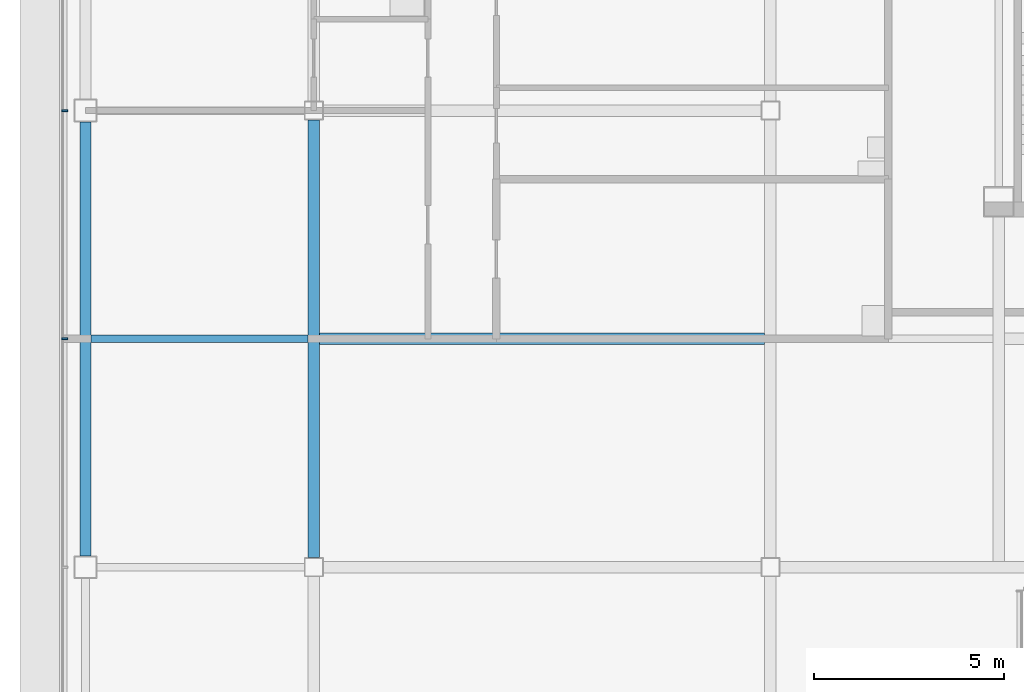
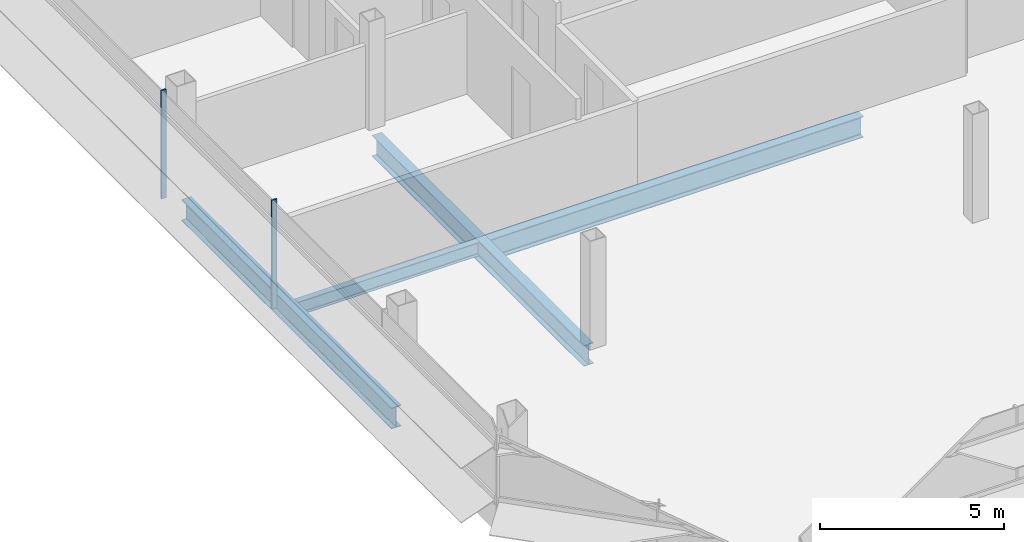
# One storey, part 5 of 27: 4 beams, 2 members, 1 element without a shape of its own.
"""IFC4 building model written with IfcOpenShell, lengths in metres."""

from ifc_helpers import new_model, si_unit, direction, frame, origin, origin_2d, place, context, subcontext, project, spatial, rectangle, i_section, extrude, material, material_profile, profile_set, type_object, element, aggregate, save


model = new_model("IFC4")

# Units and contexts
model_context = context("Model", 3, precision=1e-05, world=origin(), true_north=direction((0.0, 1.0)))
body_context = subcontext(model_context, "Body", "Model", "MODEL_VIEW")
ifc_project = project(units=[si_unit("LENGTHUNIT", "METRE"), si_unit("AREAUNIT", "SQUARE_METRE"), si_unit("VOLUMEUNIT", "CUBIC_METRE"), si_unit("PLANEANGLEUNIT", "RADIAN"), si_unit("MASSUNIT", "GRAM", prefix="KILO")], contexts=[model_context])

# Site, building, storey
site_placement = place(None, origin())
site = spatial("IfcSite", under=ifc_project, at=site_placement, CompositionType="ELEMENT")
building_placement = place(site_placement, origin())
building = spatial("IfcBuilding", under=site, at=building_placement, Name="Sorahane Residences", CompositionType="ELEMENT")
storey_placement = place(building_placement, frame((0.0, 0.0, 298.0)))
storey = spatial("IfcBuildingStorey", under=building, at=storey_placement, Name="L70", CompositionType="ELEMENT", Elevation=298.0)

# Curtain wall, members
ifc_material_1 = material(Name="Dark low-e glass and black anodised aluminium", Category="aluminium")
curtain_wall_type = type_object("IfcCurtainWallType", Name="Curtain wall CW-1 Typical unitised wall", PredefinedType="NOTDEFINED", material=ifc_material_1)
curtain_wall_placement = place(storey_placement, origin())
curtain_wall = element("IfcCurtainWall", 1, at=curtain_wall_placement, inside=storey, type_object=curtain_wall_type, Name="CW-1 curtain wall L70 W2", PredefinedType="NOTDEFINED")
ifc_material_2 = material(Name="Black anodised aluminium", Category="aluminium")
ifc_material_profile_1 = material_profile(ifc_material_2, rectangle(XDim=0.159912109375, YDim=0.050048828125, at=origin_2d()), Name="Curtain wall mullion CW-1 black anodised aluminium 50x160")
ifc_profile_set_1 = profile_set([ifc_material_profile_1], Name="Black anodised aluminium")
member_type = type_object("IfcMemberType", Name="Curtain wall mullion CW-1 black anodised aluminium 50x160", PredefinedType="MULLION", material=ifc_profile_set_1)
member_1_placement = place(storey_placement, frame((-18.5400390625, 24.0, -0.179931640625), z_axis=(0.0, 0.0, 1.0), x_axis=(-1.0, 0.0, 0.0)))
member_1 = element("IfcMember", 2, at=member_1_placement, type_object=member_type, Name="CW-1 mullion L70 W2.4", PredefinedType="MULLION", context=body_context, shape_type="SweptSolid", body=[
    extrude(rectangle(XDim=0.159912109375, YDim=0.050048828125, at=origin_2d()), origin(), (0.0, 0.0, 1.0), 3.599853515625),
])
member_2_placement = place(storey_placement, frame((-18.5400390625, 18.0, -0.179931640625), z_axis=(0.0, 0.0, 1.0), x_axis=(-1.0, 0.0, 0.0)))
member_2 = element("IfcMember", 3, at=member_2_placement, type_object=member_type, Name="CW-1 mullion L70 W2.5", PredefinedType="MULLION", context=body_context, shape_type="SweptSolid", body=[
    extrude(rectangle(XDim=0.159912109375, YDim=0.050048828125, at=origin_2d()), origin(), (0.0, 0.0, 1.0), 3.599853515625),
])
aggregate(curtain_wall, [member_1, member_2])

# Beams
ifc_material_3 = material(Name="Steel Q355B", Category="steel")
ifc_material_profile_2 = material_profile(ifc_material_3, i_section(OverallWidth=0.199951171875, OverallDepth=0.449951171875, WebThickness=0.009033203125, FlangeThickness=0.013916015625, FilletRadius=0.02001953125, at=origin_2d()), Name="HN 450x200x9x14")
ifc_profile_set_2 = profile_set([ifc_material_profile_2], Name="Steel Q355B")
beam_type_1 = type_object("IfcBeamType", Name="Steel floor beam HN 450x200x9x14 Q355B", PredefinedType="BEAM", material=ifc_profile_set_2)
beam_1_placement = place(storey_placement, frame((-17.85009765625, 18.0, -0.405029296875), z_axis=(1.0, 0.0, 0.0), x_axis=(0.0, 1.0, 0.0)))
element("IfcBeam", 4, at=beam_1_placement, inside=storey, type_object=beam_type_1, Name="Beam L70 072", PredefinedType="BEAM", context=body_context, shape_type="SweptSolid", body=[
    extrude(i_section(OverallWidth=0.199951171875, OverallDepth=0.449951171875, WebThickness=0.009033203125, FlangeThickness=0.013916015625, FilletRadius=0.02001953125, at=origin_2d()), origin(), (0.0, 0.0, 1.0), 5.7001953125),
])
ifc_material_4 = material(Name="Steel Q355B", Category="steel")
ifc_material_profile_3 = material_profile(ifc_material_4, i_section(OverallWidth=0.300048828125, OverallDepth=0.699951171875, WebThickness=0.012939453125, FlangeThickness=0.02392578125, FilletRadius=0.028076171875, at=origin_2d()), Name="HN 700x300x13x24")
ifc_profile_set_3 = profile_set([ifc_material_profile_3], Name="Steel Q355B")
beam_type_2 = type_object("IfcBeamType", Name="Steel floor beam HN 700x300x13x24 Q355B", PredefinedType="BEAM", material=ifc_profile_set_3)
beam_2_placement = place(storey_placement, frame((-18.0, 12.300048828125, -0.530029296875), z_axis=(0.0, 1.0, 0.0), x_axis=(-1.0, 0.0, 0.0)))
element("IfcBeam", 5, at=beam_2_placement, inside=storey, type_object=beam_type_2, Name="Beam L70 021", PredefinedType="BEAM", context=body_context, shape_type="SweptSolid", body=[
    extrude(i_section(OverallWidth=0.300048828125, OverallDepth=0.699951171875, WebThickness=0.012939453125, FlangeThickness=0.02392578125, FilletRadius=0.028076171875, at=origin_2d()), origin(), (0.0, 0.0, 1.0), 11.39990234375),
])
beam_3_placement = place(storey_placement, frame((-12.0, 12.25, -0.530029296875), z_axis=(0.0, 1.0, 0.0), x_axis=(-1.0, 0.0, 0.0)))
element("IfcBeam", 6, at=beam_3_placement, inside=storey, type_object=beam_type_2, Name="Beam L70 025", PredefinedType="BEAM", context=body_context, shape_type="SweptSolid", body=[
    extrude(i_section(OverallWidth=0.300048828125, OverallDepth=0.699951171875, WebThickness=0.012939453125, FlangeThickness=0.02392578125, FilletRadius=0.028076171875, at=origin_2d()), origin(), (0.0, 0.0, 1.0), 11.5),
])
beam_4_placement = place(storey_placement, frame((-11.85009765625, 18.0, -0.530029296875), z_axis=(1.0, 0.0, 0.0), x_axis=(0.0, 1.0, 0.0)))
element("IfcBeam", 7, at=beam_4_placement, inside=storey, type_object=beam_type_2, Name="Beam L70 073", PredefinedType="BEAM", context=body_context, shape_type="SweptSolid", body=[
    extrude(i_section(OverallWidth=0.300048828125, OverallDepth=0.699951171875, WebThickness=0.012939453125, FlangeThickness=0.02392578125, FilletRadius=0.028076171875, at=origin_2d()), origin(), (0.0, 0.0, 1.0), 11.7001953125),
])

save(model, "model.ifc")
